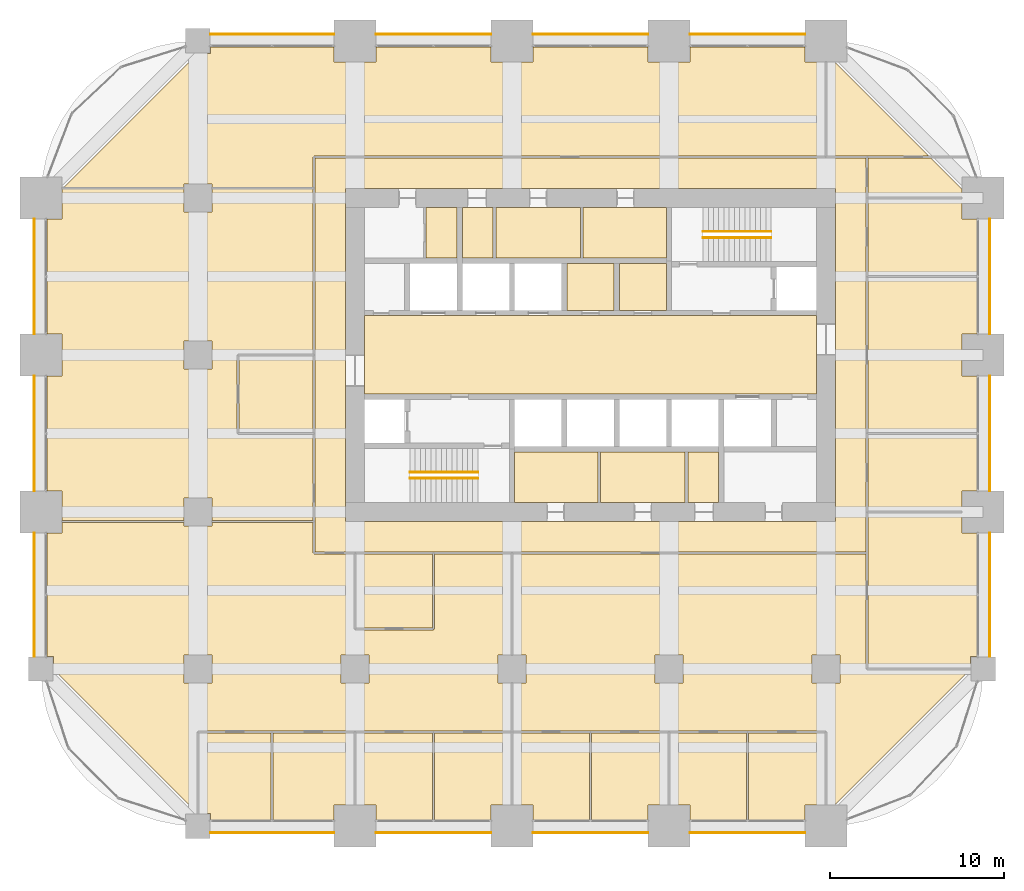
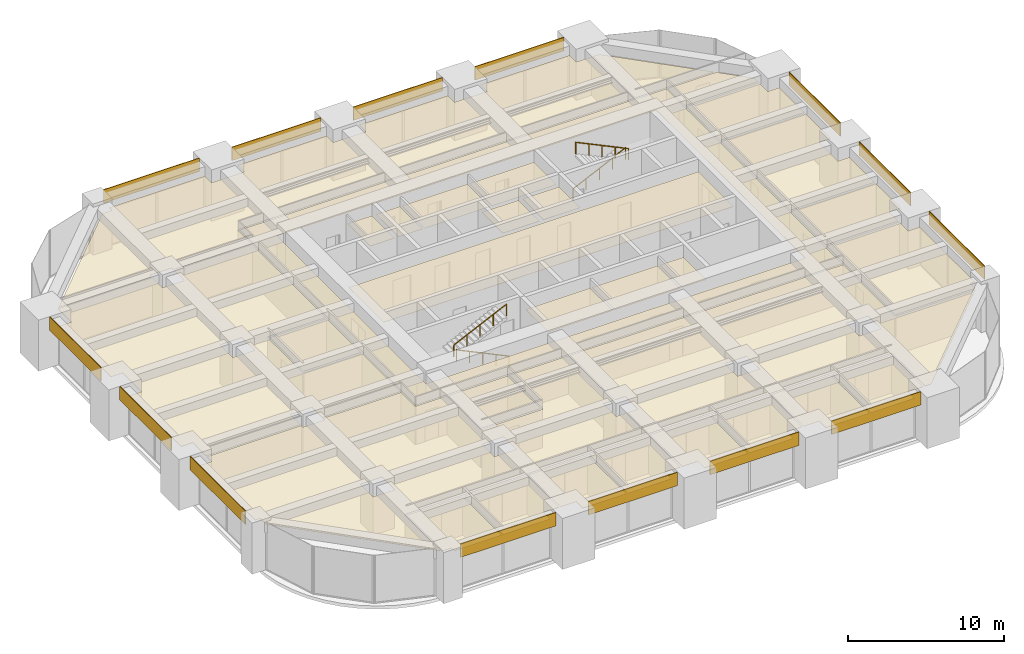
# One storey, part 32 of 32: 45 coverings, 4 railings.
"""IFC4 building model written with IfcOpenShell, lengths in metres."""

from ifc_helpers import new_model, si_unit, direction, frame, frame_2d, origin, origin_2d, place, context, subcontext, project, spatial, polyline, rectangle, circle, outline, extrude, material, layer, layer_set, type_object, element, save


model = new_model("IFC4")

# Units and contexts
model_context = context("Model", 3, precision=1e-05, world=origin(), true_north=direction((0.0, 1.0)))
body_context = subcontext(model_context, "Body", "Model", "MODEL_VIEW")
ifc_project = project(units=[si_unit("LENGTHUNIT", "METRE"), si_unit("AREAUNIT", "SQUARE_METRE"), si_unit("VOLUMEUNIT", "CUBIC_METRE"), si_unit("PLANEANGLEUNIT", "RADIAN"), si_unit("MASSUNIT", "GRAM", prefix="KILO")], contexts=[model_context])

# Site, building, storey
site_placement = place(None, origin())
site = spatial("IfcSite", under=ifc_project, at=site_placement, CompositionType="ELEMENT")
building_placement = place(site_placement, origin())
building = spatial("IfcBuilding", under=site, at=building_placement, Name="Zorevar Civic Tower", CompositionType="ELEMENT")
storey_placement = place(building_placement, frame((0.0, 0.0, 182.199951171875)))
storey = spatial("IfcBuildingStorey", under=building, at=storey_placement, Name="L44", CompositionType="ELEMENT", Elevation=182.199951171875)

# Railings
ifc_material_1 = material(Name="Black steel handrail", Category="steel")
railing_type = type_object("IfcRailingType", Name="Handrail HR1 900", PredefinedType="HANDRAIL", material=ifc_material_1)
railing_1_placement = place(storey_placement, frame((25.050048828125, 19.925048828125, 0.142822265625)))
element("IfcRailing", 1, at=railing_1_placement, inside=storey, type_object=railing_type, Name="Handrail HR1 ST1 L44", PredefinedType="HANDRAIL", context=body_context, shape_type="SweptSolid", body=[
    extrude(circle(Radius=0.02392578125, at=origin_2d()), frame((0.0, 0.0, 0.8759765625), z_axis=(-0.902863652845, 0.0, 0.429926998885), x_axis=(0.0, -1.0, 0.0)), (0.0, 0.0, 1.0), 4.31982421875),
    extrude(circle(Radius=0.02099609375, at=origin_2d()), origin(), (0.0, 0.0, 1.0), 0.851806640625),
    extrude(circle(Radius=0.02099609375, at=origin_2d()), frame((-0.97509765625, 0.0, 0.46435546875)), (0.0, 0.0, 1.0), 0.851806640625),
    extrude(circle(Radius=0.02099609375, at=origin_2d()), frame((-1.9501953125, 0.0, 0.9287109375)), (0.0, 0.0, 1.0), 0.851806640625),
    extrude(circle(Radius=0.02099609375, at=origin_2d()), frame((-2.925048828125, 0.0, 1.392822265625)), (0.0, 0.0, 1.0), 0.851806640625),
    extrude(circle(Radius=0.02099609375, at=origin_2d()), frame((-3.900146484375, 0.0, 1.857177734375)), (0.0, 0.0, 1.0), 0.851806640625),
])
for number, where, name in (
    (2, (21.14990234375, 20.27490234375, 2.142822265625), "Handrail HR1 ST1 L44"),
    (3, (37.949951171875, 34.074951171875, 0.142822265625), "Handrail HR1 ST2 L44"),
):
    element("IfcRailing", number, at=place(storey_placement, frame(where)), inside=storey, type_object=railing_type, Name=name, PredefinedType="HANDRAIL", context=body_context, shape_type="SweptSolid", body=[
        extrude(circle(Radius=0.02392578125, at=origin_2d()), frame((0.0, 0.0, 0.8759765625), z_axis=(0.902863652845, 0.0, 0.429926998885), x_axis=(0.0, 1.0, 0.0)), (0.0, 0.0, 1.0), 4.31982421875),
        extrude(circle(Radius=0.02099609375, at=origin_2d()), origin(), (0.0, 0.0, 1.0), 0.851806640625),
        extrude(circle(Radius=0.02099609375, at=origin_2d()), frame((0.97509765625, 0.0, 0.46435546875)), (0.0, 0.0, 1.0), 0.851806640625),
        extrude(circle(Radius=0.02099609375, at=origin_2d()), frame((1.9501953125, 0.0, 0.9287109375)), (0.0, 0.0, 1.0), 0.851806640625),
        extrude(circle(Radius=0.02099609375, at=origin_2d()), frame((2.925048828125, 0.0, 1.392822265625)), (0.0, 0.0, 1.0), 0.851806640625),
        extrude(circle(Radius=0.02099609375, at=origin_2d()), frame((3.900146484375, 0.0, 1.857177734375)), (0.0, 0.0, 1.0), 0.851806640625),
    ])
railing_2_placement = place(storey_placement, frame((41.85009765625, 33.72509765625, 2.142822265625)))
element("IfcRailing", 4, at=railing_2_placement, inside=storey, type_object=railing_type, Name="Handrail HR1 ST2 L44", PredefinedType="HANDRAIL", context=body_context, shape_type="SweptSolid", body=[
    extrude(circle(Radius=0.02392578125, at=origin_2d()), frame((0.0, 0.0, 0.8759765625), z_axis=(-0.902863652845, 0.0, 0.429926998885), x_axis=(0.0, -1.0, 0.0)), (0.0, 0.0, 1.0), 4.31982421875),
    extrude(circle(Radius=0.02099609375, at=origin_2d()), origin(), (0.0, 0.0, 1.0), 0.851806640625),
    extrude(circle(Radius=0.02099609375, at=origin_2d()), frame((-0.97509765625, 0.0, 0.46435546875)), (0.0, 0.0, 1.0), 0.851806640625),
    extrude(circle(Radius=0.02099609375, at=origin_2d()), frame((-1.9501953125, 0.0, 0.9287109375)), (0.0, 0.0, 1.0), 0.851806640625),
    extrude(circle(Radius=0.02099609375, at=origin_2d()), frame((-2.925048828125, 0.0, 1.392822265625)), (0.0, 0.0, 1.0), 0.851806640625),
    extrude(circle(Radius=0.02099609375, at=origin_2d()), frame((-3.900146484375, 0.0, 1.857177734375)), (0.0, 0.0, 1.0), 0.851806640625),
])

# Coverings
ifc_material_2 = material(Name="Moisture-resistant gypsum board")
ifc_layer_1 = layer(ifc_material_2, 0.012451171875)
ifc_layer_set_1 = layer_set([ifc_layer_1], Name="Moisture-resistant ceiling SC3")
covering_type_1 = type_object("IfcCoveringType", Name="Moisture-resistant ceiling SC3", PredefinedType="CEILING", material=ifc_layer_set_1)
covering_1_placement = place(storey_placement, frame((0.0, 0.0, 3.0)))
element("IfcCovering", 5, at=covering_1_placement, inside=storey, type_object=covering_type_1, Name="Ceiling L44-05", PredefinedType="CEILING", context=body_context, shape_type="SweptSolid", body=[
    extrude(outline(polyline([(31.925048828125, 18.550048828125), (31.925048828125, 21.449951171875), (27.14990234375, 21.449951171875), (27.14990234375, 18.550048828125), (31.925048828125, 18.550048828125)])), origin(), (0.0, 0.0, 1.0), 0.012451171875),
])
covering_2_placement = place(storey_placement, frame((0.0, 0.0, 3.0)))
element("IfcCovering", 6, at=covering_2_placement, inside=storey, type_object=covering_type_1, Name="Ceiling L44-06", PredefinedType="CEILING", context=body_context, shape_type="SweptSolid", body=[
    extrude(outline(polyline([(36.925048828125, 18.550048828125), (36.925048828125, 21.449951171875), (32.074951171875, 21.449951171875), (32.074951171875, 18.550048828125), (36.925048828125, 18.550048828125)])), origin(), (0.0, 0.0, 1.0), 0.012451171875),
])
covering_3_placement = place(storey_placement, frame((0.0, 0.0, 3.0)))
element("IfcCovering", 7, at=covering_3_placement, inside=storey, type_object=covering_type_1, Name="Ceiling L44-07", PredefinedType="CEILING", context=body_context, shape_type="SweptSolid", body=[
    extrude(outline(polyline([(38.85009765625, 18.550048828125), (38.85009765625, 21.449951171875), (37.074951171875, 21.449951171875), (37.074951171875, 18.550048828125), (38.85009765625, 18.550048828125)])), origin(), (0.0, 0.0, 1.0), 0.012451171875),
])
covering_4_placement = place(storey_placement, frame((0.0, 0.0, 3.0)))
element("IfcCovering", 8, at=covering_4_placement, inside=storey, type_object=covering_type_1, Name="Ceiling L44-08", PredefinedType="CEILING", context=body_context, shape_type="SweptSolid", body=[
    extrude(outline(polyline([(35.85009765625, 32.550048828125), (35.85009765625, 35.449951171875), (31.074951171875, 35.449951171875), (31.074951171875, 32.550048828125), (35.85009765625, 32.550048828125)])), origin(), (0.0, 0.0, 1.0), 0.012451171875),
])
covering_5_placement = place(storey_placement, frame((0.0, 0.0, 3.0)))
element("IfcCovering", 9, at=covering_5_placement, inside=storey, type_object=covering_type_1, Name="Ceiling L44-09", PredefinedType="CEILING", context=body_context, shape_type="SweptSolid", body=[
    extrude(outline(polyline([(30.925048828125, 32.550048828125), (30.925048828125, 35.449951171875), (26.074951171875, 35.449951171875), (26.074951171875, 32.550048828125), (30.925048828125, 32.550048828125)])), origin(), (0.0, 0.0, 1.0), 0.012451171875),
])
covering_6_placement = place(storey_placement, frame((0.0, 0.0, 3.0)))
element("IfcCovering", 10, at=covering_6_placement, inside=storey, type_object=covering_type_1, Name="Ceiling L44-10", PredefinedType="CEILING", context=body_context, shape_type="SweptSolid", body=[
    extrude(outline(polyline([(25.925048828125, 32.550048828125), (25.925048828125, 35.449951171875), (24.14990234375, 35.449951171875), (24.14990234375, 32.550048828125), (25.925048828125, 32.550048828125)])), origin(), (0.0, 0.0, 1.0), 0.012451171875),
])
ifc_material_3 = material(Name="Black anodised aluminium spandrel panel", Category="aluminium")
ifc_layer_2 = layer(ifc_material_3, 0.050048828125)
ifc_layer_set_2 = layer_set([ifc_layer_2], Name="Spandrel cladding SP1")
covering_type_2 = type_object("IfcCoveringType", Name="Spandrel cladding SP1", PredefinedType="CLADDING", material=ifc_layer_set_2)
covering_7_placement = place(storey_placement, frame((9.699951171875, -0.375, 2.949951171875), z_axis=(0.0, 0.0, 1.0), x_axis=(1.0, 0.0, 0.0)))
element("IfcCovering", 11, at=covering_7_placement, inside=storey, type_object=covering_type_2, Name="Spandrel cladding L45", PredefinedType="CLADDING", context=body_context, shape_type="SweptSolid", body=[
    extrude(rectangle(XDim=7.10009765625, YDim=0.050048828125, at=frame_2d((3.550048828125, 0.0))), origin(), (0.0, 0.0, 1.0), 1.050048828125),
])
for number, where, z_axis, x_axis, name in (
    (12, (19.199951171875, -0.375, 2.949951171875), (0.0, 0.0, 1.0), (1.0, 0.0, 0.0), "Spandrel cladding L45"),
    (13, (28.199951171875, -0.375, 2.949951171875), (0.0, 0.0, 1.0), (1.0, 0.0, 0.0), "Spandrel cladding L45"),
    (14, (37.199951171875, -0.375, 2.949951171875), (0.0, 0.0, 1.0), (1.0, 0.0, 0.0), "Spandrel cladding L45"),
):
    element("IfcCovering", number, at=place(storey_placement, frame(where, z_axis=z_axis, x_axis=x_axis)), inside=storey, type_object=covering_type_2, Name=name, PredefinedType="CLADDING", context=body_context, shape_type="SweptSolid", body=[
        extrude(rectangle(XDim=6.60009765625, YDim=0.050048828125, at=frame_2d((3.300048828125, 0.0))), origin(), (0.0, 0.0, 1.0), 1.050048828125),
    ])
covering_8_placement = place(storey_placement, frame((9.699951171875, 45.375, 2.949951171875), z_axis=(0.0, 0.0, 1.0), x_axis=(1.0, 0.0, 0.0)))
element("IfcCovering", 15, at=covering_8_placement, inside=storey, type_object=covering_type_2, Name="Spandrel cladding L45", PredefinedType="CLADDING", context=body_context, shape_type="SweptSolid", body=[
    extrude(rectangle(XDim=7.10009765625, YDim=0.050048828125, at=frame_2d((3.550048828125, 0.0))), origin(), (0.0, 0.0, 1.0), 1.050048828125),
])
for number, where, z_axis, x_axis, name in (
    (16, (19.199951171875, 45.375, 2.949951171875), (0.0, 0.0, 1.0), (1.0, 0.0, 0.0), "Spandrel cladding L45"),
    (17, (28.199951171875, 45.375, 2.949951171875), (0.0, 0.0, 1.0), (1.0, 0.0, 0.0), "Spandrel cladding L45"),
    (18, (37.199951171875, 45.375, 2.949951171875), (0.0, 0.0, 1.0), (1.0, 0.0, 0.0), "Spandrel cladding L45"),
):
    element("IfcCovering", number, at=place(storey_placement, frame(where, z_axis=z_axis, x_axis=x_axis)), inside=storey, type_object=covering_type_2, Name=name, PredefinedType="CLADDING", context=body_context, shape_type="SweptSolid", body=[
        extrude(rectangle(XDim=6.60009765625, YDim=0.050048828125, at=frame_2d((3.300048828125, 0.0))), origin(), (0.0, 0.0, 1.0), 1.050048828125),
    ])
covering_9_placement = place(storey_placement, frame((-0.375, 9.699951171875, 2.949951171875), z_axis=(0.0, 0.0, 1.0), x_axis=(0.0, 1.0, 0.0)))
element("IfcCovering", 19, at=covering_9_placement, inside=storey, type_object=covering_type_2, Name="Spandrel cladding L45", PredefinedType="CLADDING", context=body_context, shape_type="SweptSolid", body=[
    extrude(rectangle(XDim=7.10009765625, YDim=0.050048828125, at=frame_2d((3.550048828125, 0.0))), origin(), (0.0, 0.0, 1.0), 1.050048828125),
])
for number, where, z_axis, x_axis, name in (
    (20, (-0.375, 19.199951171875, 2.949951171875), (0.0, 0.0, 1.0), (0.0, 1.0, 0.0), "Spandrel cladding L45"),
    (21, (-0.375, 28.199951171875, 2.949951171875), (0.0, 0.0, 1.0), (0.0, 1.0, 0.0), "Spandrel cladding L45"),
):
    element("IfcCovering", number, at=place(storey_placement, frame(where, z_axis=z_axis, x_axis=x_axis)), inside=storey, type_object=covering_type_2, Name=name, PredefinedType="CLADDING", context=body_context, shape_type="SweptSolid", body=[
        extrude(rectangle(XDim=6.60009765625, YDim=0.050048828125, at=frame_2d((3.300048828125, 0.0))), origin(), (0.0, 0.0, 1.0), 1.050048828125),
    ])
covering_10_placement = place(storey_placement, frame((54.375, 9.699951171875, 2.949951171875), z_axis=(0.0, 0.0, 1.0), x_axis=(0.0, 1.0, 0.0)))
element("IfcCovering", 22, at=covering_10_placement, inside=storey, type_object=covering_type_2, Name="Spandrel cladding L45", PredefinedType="CLADDING", context=body_context, shape_type="SweptSolid", body=[
    extrude(rectangle(XDim=7.10009765625, YDim=0.050048828125, at=frame_2d((3.550048828125, 0.0))), origin(), (0.0, 0.0, 1.0), 1.050048828125),
])
for number, where, z_axis, x_axis, name in (
    (23, (54.375, 19.199951171875, 2.949951171875), (0.0, 0.0, 1.0), (0.0, 1.0, 0.0), "Spandrel cladding L45"),
    (24, (54.375, 28.199951171875, 2.949951171875), (0.0, 0.0, 1.0), (0.0, 1.0, 0.0), "Spandrel cladding L45"),
):
    element("IfcCovering", number, at=place(storey_placement, frame(where, z_axis=z_axis, x_axis=x_axis)), inside=storey, type_object=covering_type_2, Name=name, PredefinedType="CLADDING", context=body_context, shape_type="SweptSolid", body=[
        extrude(rectangle(XDim=6.60009765625, YDim=0.050048828125, at=frame_2d((3.300048828125, 0.0))), origin(), (0.0, 0.0, 1.0), 1.050048828125),
    ])
ifc_material_4 = material(Name="Mineral fibre tiles on a concealed grid")
ifc_layer_3 = layer(ifc_material_4, 0.02001953125)
ifc_layer_set_3 = layer_set([ifc_layer_3], Name="Suspended ceiling SC1")
covering_type_3 = type_object("IfcCoveringType", Name="Suspended ceiling SC1", PredefinedType="CEILING", material=ifc_layer_set_3)
covering_11_placement = place(storey_placement, frame((0.0, 0.0, 3.0)))
element("IfcCovering", 25, at=covering_11_placement, inside=storey, type_object=covering_type_3, Name="Ceiling L44-12", PredefinedType="CEILING", context=body_context, shape_type="SweptSolid", body=[
    extrude(outline(polyline([(23.85009765625, 32.550048828125), (23.85009765625, 35.449951171875), (22.06005859375, 35.449951171875), (22.06005859375, 32.550048828125), (23.85009765625, 32.550048828125)])), origin(), (0.0, 0.0, 1.0), 0.02001953125),
])
covering_12_placement = place(storey_placement, frame((0.0, 0.0, 3.0)))
element("IfcCovering", 26, at=covering_12_placement, inside=storey, type_object=covering_type_3, Name="Ceiling L44-16", PredefinedType="CEILING", context=body_context, shape_type="SweptSolid", body=[
    extrude(outline(polyline([(44.449951171875, 24.75), (44.449951171875, 29.25), (18.550048828125, 29.25), (18.550048828125, 24.75), (44.449951171875, 24.75)])), origin(), (0.0, 0.0, 1.0), 0.02001953125),
])
covering_13_placement = place(storey_placement, frame((0.0, 0.0, 3.0)))
element("IfcCovering", 27, at=covering_13_placement, inside=storey, type_object=covering_type_3, Name="Ceiling L44-17", PredefinedType="CEILING", context=body_context, shape_type="SweptSolid", body=[
    extrude(outline(polyline([(35.85009765625, 29.550048828125), (35.85009765625, 32.25), (33.14990234375, 32.25), (33.14990234375, 29.550048828125), (35.85009765625, 29.550048828125)])), origin(), (0.0, 0.0, 1.0), 0.02001953125),
])
covering_14_placement = place(storey_placement, frame((0.0, 0.0, 3.0)))
element("IfcCovering", 28, at=covering_14_placement, inside=storey, type_object=covering_type_3, Name="Ceiling L44-18", PredefinedType="CEILING", context=body_context, shape_type="SweptSolid", body=[
    extrude(outline(polyline([(32.85009765625, 29.550048828125), (32.85009765625, 32.25), (30.14990234375, 32.25), (30.14990234375, 29.550048828125), (32.85009765625, 29.550048828125)])), origin(), (0.0, 0.0, 1.0), 0.02001953125),
])
covering_15_placement = place(storey_placement, frame((0.0, 0.0, 3.0)))
element("IfcCovering", 29, at=covering_15_placement, inside=storey, type_object=covering_type_3, Name="Ceiling L44-19", PredefinedType="CEILING", context=body_context, shape_type="SweptSolid", body=[
    extrude(outline(polyline([(53.64990234375, 9.7099609375), (53.2900390625, 9.7099609375), (53.2900390625, 9.06005859375), (47.409912109375, 9.06005859375), (47.409912109375, 17.93994140625), (52.7900390625, 17.93994140625), (52.7900390625, 16.7900390625), (53.64990234375, 16.7900390625), (53.64990234375, 9.7099609375)])), origin(), (0.0, 0.0, 1.0), 0.02001953125),
])
covering_16_placement = place(storey_placement, frame((0.0, 0.0, 3.0)))
element("IfcCovering", 30, at=covering_16_placement, inside=storey, type_object=covering_type_3, Name="Ceiling L44-20", PredefinedType="CEILING", context=body_context, shape_type="SweptSolid", body=[
    extrude(outline(polyline([(47.409912109375, 22.43994140625), (53.64990234375, 22.43994140625), (53.64990234375, 19.2099609375), (52.7900390625, 19.2099609375), (52.7900390625, 18.06005859375), (47.409912109375, 18.06005859375), (47.409912109375, 22.43994140625)])), origin(), (0.0, 0.0, 1.0), 0.02001953125),
])
covering_17_placement = place(storey_placement, frame((0.0, 0.0, 3.0)))
element("IfcCovering", 31, at=covering_17_placement, inside=storey, type_object=covering_type_3, Name="Ceiling L44-21", PredefinedType="CEILING", context=body_context, shape_type="SweptSolid", body=[
    extrude(outline(polyline([(47.409912109375, 31.43994140625), (53.64990234375, 31.43994140625), (53.64990234375, 28.2099609375), (52.7900390625, 28.2099609375), (52.7900390625, 25.7900390625), (53.64990234375, 25.7900390625), (53.64990234375, 22.56005859375), (47.409912109375, 22.56005859375), (47.409912109375, 31.43994140625)])), origin(), (0.0, 0.0, 1.0), 0.02001953125),
])
covering_18_placement = place(storey_placement, frame((0.0, 0.0, 3.0)))
element("IfcCovering", 32, at=covering_18_placement, inside=storey, type_object=covering_type_3, Name="Ceiling L44-22", PredefinedType="CEILING", context=body_context, shape_type="SweptSolid", body=[
    extrude(outline(polyline([(47.409912109375, 35.93994140625), (52.7900390625, 35.93994140625), (52.7900390625, 34.7900390625), (53.64990234375, 34.7900390625), (53.64990234375, 31.56005859375), (47.409912109375, 31.56005859375), (47.409912109375, 35.93994140625)])), origin(), (0.0, 0.0, 1.0), 0.02001953125),
])
covering_19_placement = place(storey_placement, frame((0.0, 0.0, 3.0)))
element("IfcCovering", 33, at=covering_19_placement, inside=storey, type_object=covering_type_3, Name="Ceiling L44-23", PredefinedType="CEILING", context=body_context, shape_type="SweptSolid", body=[
    extrude(outline(polyline([(13.18994140625, 5.340087890625), (13.18994140625, 0.35009765625), (9.7099609375, 0.35009765625), (9.7099609375, 0.7099609375), (9.06005859375, 0.7099609375), (9.06005859375, 5.340087890625), (13.18994140625, 5.340087890625)])), origin(), (0.0, 0.0, 1.0), 0.02001953125),
])
covering_20_placement = place(storey_placement, frame((0.0, 0.0, 3.0)))
element("IfcCovering", 34, at=covering_20_placement, inside=storey, type_object=covering_type_3, Name="Ceiling L44-24", PredefinedType="CEILING", context=body_context, shape_type="SweptSolid", body=[
    extrude(outline(polyline([(17.93994140625, 5.340087890625), (17.93994140625, 1.2099609375), (16.7900390625, 1.2099609375), (16.7900390625, 0.35009765625), (13.31005859375, 0.35009765625), (13.31005859375, 5.340087890625), (17.93994140625, 5.340087890625)])), origin(), (0.0, 0.0, 1.0), 0.02001953125),
])
covering_21_placement = place(storey_placement, frame((0.0, 0.0, 3.0)))
element("IfcCovering", 35, at=covering_21_placement, inside=storey, type_object=covering_type_3, Name="Ceiling L44-25", PredefinedType="CEILING", context=body_context, shape_type="SweptSolid", body=[
    extrude(outline(polyline([(22.43994140625, 5.340087890625), (22.43994140625, 0.35009765625), (19.2099609375, 0.35009765625), (19.2099609375, 1.2099609375), (18.06005859375, 1.2099609375), (18.06005859375, 5.340087890625), (22.43994140625, 5.340087890625)])), origin(), (0.0, 0.0, 1.0), 0.02001953125),
])
covering_22_placement = place(storey_placement, frame((0.0, 0.0, 3.0)))
element("IfcCovering", 36, at=covering_22_placement, inside=storey, type_object=covering_type_3, Name="Ceiling L44-26", PredefinedType="CEILING", context=body_context, shape_type="SweptSolid", body=[
    extrude(outline(polyline([(26.93994140625, 5.340087890625), (26.93994140625, 1.2099609375), (25.7900390625, 1.2099609375), (25.7900390625, 0.35009765625), (22.56005859375, 0.35009765625), (22.56005859375, 5.340087890625), (26.93994140625, 5.340087890625)])), origin(), (0.0, 0.0, 1.0), 0.02001953125),
])
covering_23_placement = place(storey_placement, frame((0.0, 0.0, 3.0)))
element("IfcCovering", 37, at=covering_23_placement, inside=storey, type_object=covering_type_3, Name="Ceiling L44-27", PredefinedType="CEILING", context=body_context, shape_type="SweptSolid", body=[
    extrude(outline(polyline([(31.43994140625, 5.340087890625), (31.43994140625, 0.35009765625), (28.2099609375, 0.35009765625), (28.2099609375, 1.2099609375), (27.06005859375, 1.2099609375), (27.06005859375, 5.340087890625), (31.43994140625, 5.340087890625)])), origin(), (0.0, 0.0, 1.0), 0.02001953125),
])
covering_24_placement = place(storey_placement, frame((0.0, 0.0, 3.0)))
element("IfcCovering", 38, at=covering_24_placement, inside=storey, type_object=covering_type_3, Name="Ceiling L44-28", PredefinedType="CEILING", context=body_context, shape_type="SweptSolid", body=[
    extrude(outline(polyline([(35.93994140625, 5.340087890625), (35.93994140625, 1.2099609375), (34.7900390625, 1.2099609375), (34.7900390625, 0.35009765625), (31.56005859375, 0.35009765625), (31.56005859375, 5.340087890625), (35.93994140625, 5.340087890625)])), origin(), (0.0, 0.0, 1.0), 0.02001953125),
])
covering_25_placement = place(storey_placement, frame((0.0, 0.0, 3.0)))
element("IfcCovering", 39, at=covering_25_placement, inside=storey, type_object=covering_type_3, Name="Ceiling L44-29", PredefinedType="CEILING", context=body_context, shape_type="SweptSolid", body=[
    extrude(outline(polyline([(40.43994140625, 5.340087890625), (40.43994140625, 0.35009765625), (37.2099609375, 0.35009765625), (37.2099609375, 1.2099609375), (36.06005859375, 1.2099609375), (36.06005859375, 5.340087890625), (40.43994140625, 5.340087890625)])), origin(), (0.0, 0.0, 1.0), 0.02001953125),
])
covering_26_placement = place(storey_placement, frame((0.0, 0.0, 3.0)))
element("IfcCovering", 40, at=covering_26_placement, inside=storey, type_object=covering_type_3, Name="Ceiling L44-30", PredefinedType="CEILING", context=body_context, shape_type="SweptSolid", body=[
    extrude(outline(polyline([(44.93994140625, 5.340087890625), (44.93994140625, 1.2099609375), (43.7900390625, 1.2099609375), (43.7900390625, 0.35009765625), (40.56005859375, 0.35009765625), (40.56005859375, 5.340087890625), (44.93994140625, 5.340087890625)])), origin(), (0.0, 0.0, 1.0), 0.02001953125),
])
covering_27_placement = place(storey_placement, frame((0.0, 0.0, 3.0)))
element("IfcCovering", 41, at=covering_27_placement, inside=storey, type_object=covering_type_3, Name="Ceiling L44-31", PredefinedType="CEILING", context=body_context, shape_type="SweptSolid", body=[
    extrude(outline(polyline([(18.06005859375, 15.590087890625), (22.43994140625, 15.590087890625), (22.43994140625, 11.360107421875), (18.06005859375, 11.360107421875), (18.06005859375, 15.590087890625)])), origin(), (0.0, 0.0, 1.0), 0.02001953125),
])
covering_28_placement = place(storey_placement, frame((0.0, 0.0, 3.0)))
element("IfcCovering", 42, at=covering_28_placement, inside=storey, type_object=covering_type_3, Name="Ceiling L44-32", PredefinedType="CEILING", context=body_context, shape_type="SweptSolid", body=[
    extrude(outline(polyline([(15.590087890625, 22.56005859375), (11.360107421875, 22.56005859375), (11.360107421875, 26.93994140625), (15.590087890625, 26.93994140625), (15.590087890625, 22.56005859375)])), origin(), (0.0, 0.0, 1.0), 0.02001953125),
])
covering_29_placement = place(storey_placement, frame((0.0, 0.0, 3.0)))
element("IfcCovering", 43, at=covering_29_placement, inside=storey, type_object=covering_type_3, Name="Ceiling L44-33", PredefinedType="CEILING", context=body_context, shape_type="SweptSolid", body=[
    extrude(outline(polyline([(45.050048828125, 38.39990234375), (45.050048828125, 43.7900390625), (45.5029296875, 43.7900390625), (50.892822265625, 38.39990234375), (45.050048828125, 38.39990234375)])), origin(), (0.0, 0.0, 1.0), 0.02001953125),
])
covering_30_placement = place(storey_placement, frame((0.0, 0.0, 3.0)))
element("IfcCovering", 44, at=covering_30_placement, inside=storey, type_object=covering_type_3, Name="Ceiling L44-34", PredefinedType="CEILING", context=body_context, shape_type="SweptSolid", body=[
    extrude(outline(polyline([(15.699951171875, 38.300048828125), (47.300048828125, 38.300048828125), (47.300048828125, 36.0), (47.2900390625, 36.0), (47.2900390625, 15.699951171875), (22.5, 15.699951171875), (22.5, 15.7099609375), (18.0, 15.7099609375), (18.0, 15.699951171875), (15.699951171875, 15.699951171875), (15.699951171875, 22.5), (15.7099609375, 22.5), (15.7099609375, 27.0), (15.699951171875, 27.0), (15.699951171875, 38.300048828125)]), holes=[polyline([(45.550048828125, 36.550048828125), (17.449951171875, 36.550048828125), (17.449951171875, 17.449951171875), (45.550048828125, 17.449951171875), (45.550048828125, 36.550048828125)])]), origin(), (0.0, 0.0, 1.0), 0.02001953125),
])
covering_31_placement = place(storey_placement, frame((0.0, 0.0, 3.0)))
element("IfcCovering", 45, at=covering_31_placement, inside=storey, type_object=covering_type_3, Name="Ceiling L44-35", PredefinedType="CEILING", context=body_context, shape_type="SweptSolid", body=[
    extrude(outline(polyline([(16.7900390625, 43.7900390625), (19.2099609375, 43.7900390625), (19.2099609375, 44.64990234375), (25.7900390625, 44.64990234375), (25.7900390625, 43.7900390625), (28.2099609375, 43.7900390625), (28.2099609375, 44.64990234375), (34.7900390625, 44.64990234375), (34.7900390625, 43.7900390625), (37.2099609375, 43.7900390625), (37.2099609375, 44.64990234375), (43.7900390625, 44.64990234375), (43.7900390625, 43.7900390625), (44.949951171875, 43.7900390625), (44.949951171875, 38.39990234375), (15.64990234375, 38.39990234375), (15.64990234375, 38.35009765625), (15.60009765625, 38.35009765625), (15.60009765625, 36.60009765625), (9.81005859375, 36.60009765625), (9.81005859375, 36.81005859375), (8.18994140625, 36.81005859375), (8.18994140625, 36.60009765625), (1.30712890625, 36.60009765625), (8.9970703125, 44.2900390625), (9.7099609375, 44.2900390625), (9.7099609375, 44.64990234375), (16.7900390625, 44.64990234375), (16.7900390625, 43.7900390625)])), origin(), (0.0, 0.0, 1.0), 0.02001953125),
])
covering_32_placement = place(storey_placement, frame((0.0, 0.0, 3.0)))
element("IfcCovering", 46, at=covering_32_placement, inside=storey, type_object=covering_type_3, Name="Ceiling L44-36", PredefinedType="CEILING", context=body_context, shape_type="SweptSolid", body=[
    extrude(outline(polyline([(50.993896484375, 38.299072265625), (52.7900390625, 36.5029296875), (52.7900390625, 36.06005859375), (47.39990234375, 36.06005859375), (47.40087890625, 38.299072265625), (50.993896484375, 38.299072265625)])), origin(), (0.0, 0.0, 1.0), 0.02001953125),
])
covering_33_placement = place(storey_placement, frame((0.0, 0.0, 3.0)))
element("IfcCovering", 47, at=covering_33_placement, inside=storey, type_object=covering_type_3, Name="Ceiling L44-37", PredefinedType="CEILING", context=body_context, shape_type="SweptSolid", body=[
    extrude(outline(polyline([(1.2099609375, 16.7900390625), (1.2099609375, 17.39990234375), (8.18994140625, 17.39990234375), (8.18994140625, 17.18994140625), (9.81005859375, 17.18994140625), (9.81005859375, 17.39990234375), (15.60009765625, 17.39990234375), (15.60009765625, 15.64990234375), (15.64990234375, 15.64990234375), (15.64990234375, 15.60009765625), (17.93994140625, 15.60009765625), (17.93994140625, 11.300048828125), (18.0, 11.300048828125), (18.0, 11.239990234375), (22.5, 11.239990234375), (22.5, 11.300048828125), (22.56005859375, 11.300048828125), (22.56005859375, 15.60009765625), (26.949951171875, 15.60009765625), (26.949951171875, 9.81005859375), (26.18994140625, 9.81005859375), (26.18994140625, 8.18994140625), (26.949951171875, 8.18994140625), (26.949951171875, 5.4599609375), (9.0, 5.4599609375), (9.0, 5.39990234375), (8.93994140625, 5.39990234375), (8.93994140625, 0.76708984375), (0.7099609375, 8.9970703125), (0.7099609375, 9.7099609375), (0.35009765625, 9.7099609375), (0.35009765625, 16.7900390625), (1.2099609375, 16.7900390625)]), holes=[polyline([(9.81005859375, 9.81005859375), (8.18994140625, 9.81005859375), (8.18994140625, 8.18994140625), (9.81005859375, 8.18994140625), (9.81005859375, 9.81005859375)]), polyline([(17.18994140625, 8.18994140625), (18.81005859375, 8.18994140625), (18.81005859375, 9.81005859375), (17.18994140625, 9.81005859375), (17.18994140625, 8.18994140625)])]), origin(), (0.0, 0.0, 1.0), 0.02001953125),
])
covering_34_placement = place(storey_placement, frame((0.0, 0.0, 3.0)))
element("IfcCovering", 48, at=covering_34_placement, inside=storey, type_object=covering_type_3, Name="Ceiling L44-38", PredefinedType="CEILING", context=body_context, shape_type="SweptSolid", body=[
    extrude(outline(polyline([(45.06005859375, 1.2099609375), (45.06005859375, 5.39990234375), (45.0, 5.39990234375), (45.0, 5.4599609375), (27.050048828125, 5.4599609375), (27.050048828125, 8.18994140625), (27.81005859375, 8.18994140625), (27.81005859375, 9.81005859375), (27.050048828125, 9.81005859375), (27.050048828125, 15.60009765625), (47.2900390625, 15.60009765625), (47.2900390625, 9.0), (47.35009765625, 9.0), (47.35009765625, 8.93994140625), (53.23291015625, 8.93994140625), (45.5029296875, 1.2099609375), (45.06005859375, 1.2099609375)]), holes=[polyline([(36.81005859375, 9.81005859375), (35.18994140625, 9.81005859375), (35.18994140625, 8.18994140625), (36.81005859375, 8.18994140625), (36.81005859375, 9.81005859375)]), polyline([(44.18994140625, 8.18994140625), (45.81005859375, 8.18994140625), (45.81005859375, 9.81005859375), (44.18994140625, 9.81005859375), (44.18994140625, 8.18994140625)])]), origin(), (0.0, 0.0, 1.0), 0.02001953125),
])
covering_35_placement = place(storey_placement, frame((0.0, 0.0, 3.0)))
element("IfcCovering", 49, at=covering_35_placement, inside=storey, type_object=covering_type_3, Name="Ceiling L44-39", PredefinedType="CEILING", context=body_context, shape_type="SweptSolid", body=[
    extrude(outline(polyline([(9.81005859375, 18.81005859375), (8.18994140625, 18.81005859375), (8.18994140625, 17.5), (1.2099609375, 17.5), (1.2099609375, 19.2099609375), (0.35009765625, 19.2099609375), (0.35009765625, 25.7900390625), (1.2099609375, 25.7900390625), (1.2099609375, 28.2099609375), (0.35009765625, 28.2099609375), (0.35009765625, 34.7900390625), (1.2099609375, 34.7900390625), (1.2099609375, 36.5), (8.18994140625, 36.5), (8.18994140625, 35.18994140625), (9.81005859375, 35.18994140625), (9.81005859375, 36.5), (15.60009765625, 36.5), (15.60009765625, 27.06005859375), (11.300048828125, 27.06005859375), (11.300048828125, 27.0), (11.239990234375, 27.0), (11.239990234375, 22.5), (11.300048828125, 22.5), (11.300048828125, 22.43994140625), (15.60009765625, 22.43994140625), (15.60009765625, 17.5), (9.81005859375, 17.5), (9.81005859375, 18.81005859375)]), holes=[polyline([(8.18994140625, 27.81005859375), (8.18994140625, 26.18994140625), (9.81005859375, 26.18994140625), (9.81005859375, 27.81005859375), (8.18994140625, 27.81005859375)])]), origin(), (0.0, 0.0, 1.0), 0.02001953125),
])

save(model, "model.ifc")
